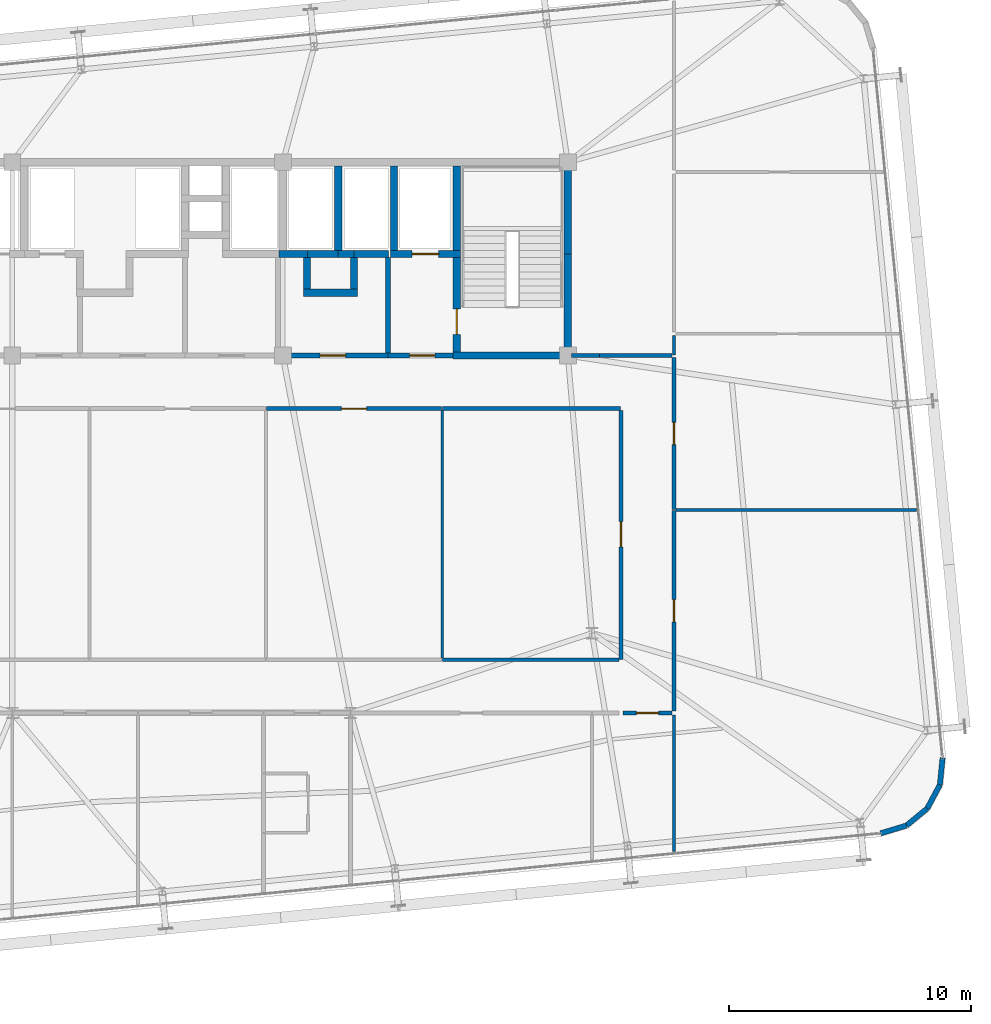
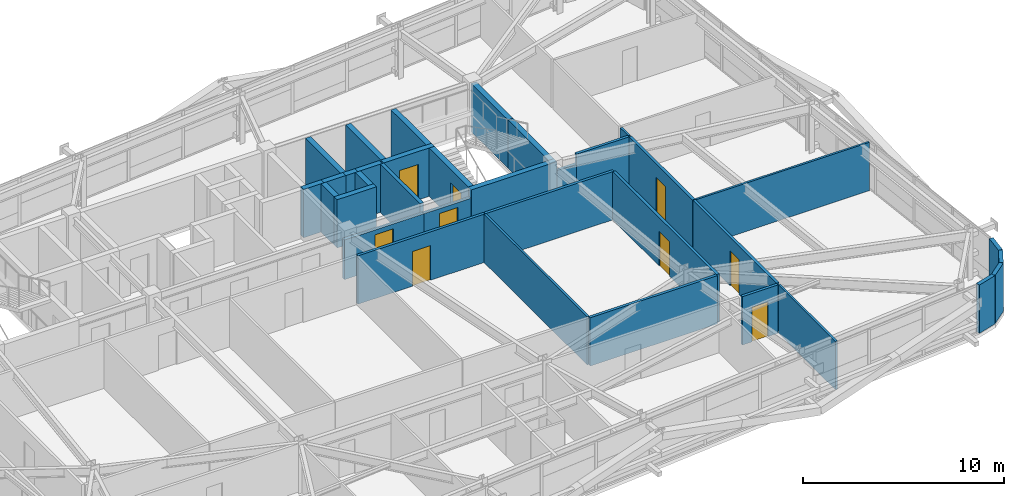
# One storey, part 48 of 52: 35 walls, 9 doors, 9 openings.
"""IFC4 building model written with IfcOpenShell, lengths in metres."""

from ifc_helpers import new_model, si_unit, direction, frame, frame_2d, origin, place, context, subcontext, project, spatial, rectangle, extrude, source, transform, mapped, material, layer, layer_set, type_object, element, fill, save


model = new_model("IFC4")

# Units and contexts
model_context = context("Model", 3, precision=1e-05, world=origin(), true_north=direction((0.0, 1.0)))
body_context = subcontext(model_context, "Body", "Model", "MODEL_VIEW")
ifc_project = project(units=[si_unit("LENGTHUNIT", "METRE"), si_unit("AREAUNIT", "SQUARE_METRE"), si_unit("VOLUMEUNIT", "CUBIC_METRE"), si_unit("PLANEANGLEUNIT", "RADIAN"), si_unit("MASSUNIT", "GRAM", prefix="KILO")], contexts=[model_context])

# Site, building, storey
site_placement = place(None, origin())
site = spatial("IfcSite", under=ifc_project, at=site_placement, CompositionType="ELEMENT")
building_placement = place(site_placement, origin())
building = spatial("IfcBuilding", under=site, at=building_placement, Name="Taldren Reach Tower", CompositionType="ELEMENT")
storey_placement = place(building_placement, frame((0.0, 0.0, 93.449951171875)))
storey = spatial("IfcBuildingStorey", under=building, at=storey_placement, Name="L28", CompositionType="ELEMENT", Elevation=93.449951171875)

# Walls
ifc_material_1 = material(Name="Pale Champagne Anodised Aluminium Cladding", Category="aluminium")
ifc_layer_1 = layer(ifc_material_1, 0.04, Name="Pale Champagne Anodised Aluminium Cladding", Category="aluminium")
ifc_material_2 = material(Name="Mineral Wool Acoustic Insulation", Category="insulation")
ifc_layer_2 = layer(ifc_material_2, 0.06, Name="Mineral Wool Acoustic Insulation", Category="insulation")
ifc_material_3 = material(Name="Steel Gr 350 (C350L0)", Category="steel")
ifc_layer_3 = layer(ifc_material_3, 0.12, Name="Steel Gr 350 (C350L0)", Category="steel")
ifc_layer_set_1 = layer_set([ifc_layer_1, ifc_layer_2, ifc_layer_3], Name="Pale Champagne Aluminium Cladding and Steel Gr 350 Stud Framing")
wall_type_1 = type_object("IfcWallType", Name="EW-CRN-220", PredefinedType="SOLIDWALL", material=ifc_layer_set_1)
shared_shape_1 = source(origin(), body_context, "Body", "SweptSolid", [
    extrude(rectangle(XDim=1.115966796875, YDim=0.219970703125, at=frame_2d((0.55810546875, 0.0))), origin(), (0.0, 0.0, 1.0), 2.929931640625),
])
for number, where, z_axis, x_axis, name in (
    (1, (65.01708984375, 4.537109375, 0.0), (0.0, 0.0, 1.0), (0.773342870285, 0.633988016432, 0.0), "Rounded-corner pale-metal facade wall L28-SE2"),
    (2, (66.406494140625, 6.228515625, 0.0), (0.0, 0.0, 1.0), (0.09844234778, 0.995142755671, 0.0), "Rounded-corner pale-metal facade wall L28-SE4"),
):
    element("IfcWall", number, at=place(storey_placement, frame(where, z_axis=z_axis, x_axis=x_axis)), inside=storey, type_object=wall_type_1, Name=name, PredefinedType="SOLIDWALL", context=body_context, shape_type="MappedRepresentation", body=[
        mapped(shared_shape_1, transform((0.0, 0.0, 0.0), scale=1.0)),
    ])
shared_shape_2 = source(origin(), body_context, "Body", "SweptSolid", [
    extrude(rectangle(XDim=1.11572265625, YDim=0.219970703125, at=frame_2d((0.557861328125, 0.0))), origin(), (0.0, 0.0, 1.0), 2.929931640625),
])
for number, where, z_axis, x_axis, name in (
    (3, (63.94921875, 4.213623046875, 0.0), (0.0, 0.0, 1.0), (0.957052003726, 0.289916301997, 0.0), "Rounded-corner pale-metal facade wall L28-SE1"),
    (4, (65.880126953125, 5.24462890625, 0.0), (0.0, 0.0, 1.0), (0.471723463201, 0.881746547635, 0.0), "Rounded-corner pale-metal facade wall L28-SE3"),
):
    element("IfcWall", number, at=place(storey_placement, frame(where, z_axis=z_axis, x_axis=x_axis)), inside=storey, type_object=wall_type_1, Name=name, PredefinedType="SOLIDWALL", context=body_context, shape_type="MappedRepresentation", body=[
        mapped(shared_shape_2, transform((0.0, 0.0, 0.0), scale=1.0)),
    ])

# Wall, opening, door
ifc_material_4 = material(Name="Fire-Rated Acoustic Plasterboard Stud Wall", Category="gypsum")
ifc_layer_4 = layer(ifc_material_4, 0.159912109375)
ifc_layer_set_2 = layer_set([ifc_layer_4], Name="Fire-Rated Acoustic Plasterboard Stud Wall")
wall_type_2 = type_object("IfcWallType", Name="IW-FIRE-160", PredefinedType="PARTITIONING", material=ifc_layer_set_2)
shared_shape_3 = source(origin(), body_context, "Body", "SweptSolid", [
    extrude(rectangle(XDim=10.2998046875, YDim=0.159912109375, at=frame_2d((5.14990234375, 0.0))), origin(), (0.0, 0.0, 1.0), 2.929931640625),
])
wall_1_placement = place(storey_placement, frame((53.199951171875, 11.420166015625, 0.0), z_axis=(0.0, 0.0, 1.0), x_axis=(0.0, 1.0, 0.0)))
wall_1 = element("IfcWall", 5, at=wall_1_placement, inside=storey, type_object=wall_type_2, Name="Interior Partition Wall W-INT-L28-052", PredefinedType="PARTITIONING", context=body_context, shape_type="MappedRepresentation", body=[
    mapped(shared_shape_3, transform((0.0, 0.0, 0.0), scale=1.0)),
])
shared_shape_4 = source(origin(), body_context, "Body", "SweptSolid", [
    extrude(rectangle(XDim=1.050048828125, YDim=2.10009765625, at=frame_2d((0.52490234375, 1.050048828125))), frame((0.0, 0.08984375, 0.0), z_axis=(0.0, -1.0, 0.0), x_axis=(1.0, 0.0, 0.0)), (0.0, 0.0, 1.0), 0.179931640625),
])
opening_1_placement = place(wall_1_placement, frame((4.65478515625, 0.0, 0.0)))
opening_1 = element("IfcOpeningElement", 6, at=opening_1_placement, cuts=wall_1, Name="Opening DF-105", PredefinedType="OPENING", context=body_context, shape_type="MappedRepresentation", body=[
    mapped(shared_shape_4, transform((0.0, 0.0, 0.0), scale=1.0)),
])
ifc_material_5 = material(Name="Fire-Rated Care and Stair Exit Door")
door_type_1 = type_object("IfcDoorType", Name="ID-FIRE-105", OperationType="NOTDEFINED", PredefinedType="DOOR", material=ifc_material_5)
shared_shape_5 = source(origin(), body_context, "Body", "SweptSolid", [
    extrude(rectangle(XDim=1.050048828125, YDim=2.10009765625, at=frame_2d((0.52490234375, 1.050048828125))), frame((0.0, 0.02490234375, 0.0), z_axis=(0.0, -1.0, 0.0), x_axis=(1.0, 0.0, 0.0)), (0.0, 0.0, 1.0), 0.050048828125),
])
door_1_placement = place(opening_1_placement, origin())
door_1 = element("IfcDoor", 7, at=door_1_placement, inside=storey, type_object=door_type_1, Name="Interior Door DR-L28-013", OperationType="SINGLE_SWING_RIGHT", OverallHeight=2.10009765625, OverallWidth=1.050048828125, PredefinedType="DOOR", context=body_context, shape_type="MappedRepresentation", body=[
    mapped(shared_shape_5, transform((0.0, 0.0, 0.0), scale=1.0)),
])
fill(opening_1, door_1)

shared_shape_6 = source(origin(), body_context, "Body", "SweptSolid", [
    extrude(rectangle(XDim=2.0400390625, YDim=0.159912109375, at=frame_2d((1.02001953125, 0.0))), origin(), (0.0, 0.0, 1.0), 2.929931640625),
])
wall_2_placement = place(storey_placement, frame((55.320068359375, 9.199951171875, 0.0), z_axis=(0.0, 0.0, 1.0), x_axis=(-1.0, 0.0, 0.0)))
wall_2 = element("IfcWall", 8, at=wall_2_placement, inside=storey, type_object=wall_type_2, Name="Interior Partition Wall W-INT-L28-055", PredefinedType="PARTITIONING", context=body_context, shape_type="MappedRepresentation", body=[
    mapped(shared_shape_6, transform((0.0, 0.0, 0.0), scale=1.0)),
])
shared_shape_7 = source(origin(), body_context, "Body", "SweptSolid", [
    extrude(rectangle(XDim=0.919921875, YDim=2.10009765625, at=frame_2d((0.4599609375, 1.050048828125))), frame((0.0, 0.08984375, 0.0), z_axis=(0.0, -1.0, 0.0), x_axis=(1.0, 0.0, 0.0)), (0.0, 0.0, 1.0), 0.179931640625),
])
opening_2_placement = place(wall_2_placement, frame((0.56005859375, 0.0, 0.0)))
opening_2 = element("IfcOpeningElement", 9, at=opening_2_placement, cuts=wall_2, Name="Opening DI-092", PredefinedType="OPENING", context=body_context, shape_type="MappedRepresentation", body=[
    mapped(shared_shape_7, transform((0.0, 0.0, 0.0), scale=1.0)),
])
ifc_material_6 = material(Name="Solid-Core Timber Suite Door", Category="wood")
door_type_2 = type_object("IfcDoorType", Name="ID-INT-092", OperationType="NOTDEFINED", PredefinedType="DOOR", material=ifc_material_6)
shared_shape_8 = source(origin(), body_context, "Body", "SweptSolid", [
    extrude(rectangle(XDim=0.919921875, YDim=2.10009765625, at=frame_2d((0.4599609375, 1.050048828125))), frame((0.0, 0.02490234375, 0.0), z_axis=(0.0, -1.0, 0.0), x_axis=(1.0, 0.0, 0.0)), (0.0, 0.0, 1.0), 0.050048828125),
])
door_2_placement = place(opening_2_placement, origin())
door_2 = element("IfcDoor", 10, at=door_2_placement, inside=storey, type_object=door_type_2, Name="Interior Door DR-L28-015", OperationType="SINGLE_SWING_RIGHT", OverallHeight=2.10009765625, OverallWidth=0.919921875, PredefinedType="DOOR", context=body_context, shape_type="MappedRepresentation", body=[
    mapped(shared_shape_8, transform((0.0, 0.0, 0.0), scale=1.0)),
])
fill(opening_2, door_2)

ifc_material_7 = material(Name="Concrete S50 (50 MPa)", Category="concrete")
ifc_layer_5 = layer(ifc_material_7, 0.199951171875)
ifc_layer_set_3 = layer_set([ifc_layer_5], Name="Concrete S50 (50 MPa)")
wall_type_3 = type_object("IfcWallType", Name="IW-CORE-200", PredefinedType="SOLIDWALL", material=ifc_layer_set_3)
shared_shape_9 = source(origin(), body_context, "Body", "SweptSolid", [
    extrude(rectangle(XDim=4.550048828125, YDim=0.199951171875, at=frame_2d((2.27490234375, 0.0))), origin(), (0.0, 0.0, 1.0), 2.39697265625),
])
wall_3_placement = place(storey_placement, frame((43.550048828125, 24.0, 0.0), z_axis=(0.0, 0.0, 1.0), x_axis=(-1.0, 0.0, 0.0)))
wall_3 = element("IfcWall", 11, at=wall_3_placement, inside=storey, type_object=wall_type_3, Name="Rear Core Shear Wall W-INT-L28-046", PredefinedType="SOLIDWALL", context=body_context, shape_type="MappedRepresentation", body=[
    mapped(shared_shape_9, transform((0.0, 0.0, 0.0), scale=1.0)),
])
shared_shape_10 = source(origin(), body_context, "Body", "SweptSolid", [
    extrude(rectangle(XDim=1.050048828125, YDim=2.10009765625, at=frame_2d((0.52490234375, 1.050048828125))), frame((0.0, 0.10986328125, 0.0), z_axis=(0.0, -1.0, 0.0), x_axis=(1.0, 0.0, 0.0)), (0.0, 0.0, 1.0), 0.219970703125),
])
opening_3_placement = place(wall_3_placement, frame((1.75, 0.0, 0.0)))
opening_3 = element("IfcOpeningElement", 12, at=opening_3_placement, cuts=wall_3, Name="Opening DF-105", PredefinedType="OPENING", context=body_context, shape_type="MappedRepresentation", body=[
    mapped(shared_shape_10, transform((0.0, 0.0, 0.0), scale=1.0)),
])
door_3_placement = place(opening_3_placement, frame((1.050048828125, 0.0, 0.0), z_axis=(0.0, 0.0, 1.0), x_axis=(-1.0, 0.0, 0.0)))
door_3 = element("IfcDoor", 13, at=door_3_placement, inside=storey, type_object=door_type_1, Name="Interior Door DR-L28-008", OperationType="SINGLE_SWING_RIGHT", OverallHeight=2.10009765625, OverallWidth=1.050048828125, PredefinedType="DOOR", context=body_context, shape_type="MappedRepresentation", body=[
    mapped(shared_shape_5, transform((0.0, 0.0, 0.0), scale=1.0)),
])
fill(opening_3, door_3)

shared_shape_11 = source(origin(), body_context, "Body", "SweptSolid", [
    extrude(rectangle(XDim=7.259521484375, YDim=0.159912109375, at=frame_2d((3.6298828125, 0.0))), origin(), (0.0, 0.0, 1.0), 2.929931640625),
])
wall_4_placement = place(storey_placement, frame((45.77978515625, 21.800048828125, 0.0), z_axis=(0.0, 0.0, 1.0), x_axis=(-1.0, 0.0, 0.0)))
wall_4 = element("IfcWall", 14, at=wall_4_placement, inside=storey, type_object=wall_type_2, Name="Interior Partition Wall W-INT-L28-051", PredefinedType="PARTITIONING", context=body_context, shape_type="MappedRepresentation", body=[
    mapped(shared_shape_11, transform((0.0, 0.0, 0.0), scale=1.0)),
])
opening_4_placement = place(wall_4_placement, frame((3.104736328125, 0.0, 0.0)))
opening_4 = element("IfcOpeningElement", 15, at=opening_4_placement, cuts=wall_4, Name="Opening DF-105", PredefinedType="OPENING", context=body_context, shape_type="MappedRepresentation", body=[
    mapped(shared_shape_4, transform((0.0, 0.0, 0.0), scale=1.0)),
])
door_4_placement = place(opening_4_placement, origin())
door_4 = element("IfcDoor", 16, at=door_4_placement, inside=storey, type_object=door_type_1, Name="Interior Door DR-L28-012", OperationType="SINGLE_SWING_LEFT", OverallHeight=2.10009765625, OverallWidth=1.050048828125, PredefinedType="DOOR", context=body_context, shape_type="MappedRepresentation", body=[
    mapped(shared_shape_5, transform((0.0, 0.0, 0.0), scale=1.0)),
])
fill(opening_4, door_4)

# Walls
shared_shape_12 = source(origin(), body_context, "Body", "SweptSolid", [
    extrude(rectangle(XDim=7.359375, YDim=0.159912109375, at=frame_2d((3.6796875, 0.0))), origin(), (0.0, 0.0, 1.0), 2.929931640625),
])
wall_5_placement = place(storey_placement, frame((53.1796875, 21.800048828125, 0.0), z_axis=(0.0, 0.0, 1.0), x_axis=(-1.0, 0.0, 0.0)))
element("IfcWall", 17, at=wall_5_placement, inside=storey, type_object=wall_type_2, Name="Interior Partition Wall W-INT-L28-053", PredefinedType="PARTITIONING", context=body_context, shape_type="MappedRepresentation", body=[
    mapped(shared_shape_12, transform((0.0, 0.0, 0.0), scale=1.0)),
])
shared_shape_13 = source(origin(), body_context, "Body", "SweptSolid", [
    extrude(rectangle(XDim=7.2998046875, YDim=0.159912109375, at=frame_2d((3.64990234375, 0.0))), origin(), (0.0, 0.0, 1.0), 2.929931640625),
])
wall_6_placement = place(storey_placement, frame((45.8203125, 11.39990234375, 0.0), z_axis=(0.0, 0.0, 1.0), x_axis=(1.0, 0.0, 0.0)))
element("IfcWall", 18, at=wall_6_placement, inside=storey, type_object=wall_type_2, Name="Interior Partition Wall W-INT-L28-066", PredefinedType="PARTITIONING", context=body_context, shape_type="MappedRepresentation", body=[
    mapped(shared_shape_13, transform((0.0, 0.0, 0.0), scale=1.0)),
])
ifc_material_8 = material(Name="Insulated Residential Stud Partition", Category="gypsum")
ifc_layer_6 = layer(ifc_material_8, 0.1201171875)
ifc_layer_set_4 = layer_set([ifc_layer_6], Name="Insulated Residential Stud Partition")
wall_type_4 = type_object("IfcWallType", Name="IW-PART-120", PredefinedType="PARTITIONING", material=ifc_layer_set_4)
shared_shape_14 = source(origin(), body_context, "Body", "SweptSolid", [
    extrude(rectangle(XDim=10.239990234375, YDim=0.1201171875, at=frame_2d((5.1201171875, 0.0))), origin(), (0.0, 0.0, 1.0), 2.929931640625),
])
wall_7_placement = place(storey_placement, frame((45.800048828125, 21.719970703125, 0.0), z_axis=(0.0, 0.0, 1.0), x_axis=(0.0, -1.0, 0.0)))
element("IfcWall", 19, at=wall_7_placement, inside=storey, type_object=wall_type_4, Name="Interior Partition Wall W-INT-L28-077", PredefinedType="PARTITIONING", context=body_context, shape_type="MappedRepresentation", body=[
    mapped(shared_shape_14, transform((0.0, 0.0, 0.0), scale=1.0)),
])
ifc_material_9 = material(Name="Concrete S65 (65 MPa)", Category="concrete")
ifc_layer_7 = layer(ifc_material_9, 0.300048828125)
ifc_layer_set_5 = layer_set([ifc_layer_7], Name="Concrete S65 (65 MPa)")
wall_type_5 = type_object("IfcWallType", Name="IW-CORE-300", PredefinedType="SHEAR", material=ifc_layer_set_5)
shared_shape_15 = source(origin(), body_context, "Body", "SweptSolid", [
    extrude(rectangle(XDim=4.050048828125, YDim=0.300048828125, at=frame_2d((2.02490234375, 0.0))), origin(), (0.0, 0.0, 1.0), 2.929931640625),
])
wall_8_placement = place(storey_placement, frame((51.0, 24.14990234375, 0.0), z_axis=(0.0, 0.0, 1.0), x_axis=(0.0, 1.0, 0.0)))
element("IfcWall", 20, at=wall_8_placement, inside=storey, type_object=wall_type_5, Name="Rear Core Shear Wall W-CORE-L28-EAST1", PredefinedType="SHEAR", context=body_context, shape_type="MappedRepresentation", body=[
    mapped(shared_shape_15, transform((0.0, 0.0, 0.0), scale=1.0)),
])
shared_shape_16 = source(origin(), body_context, "Body", "SweptSolid", [
    extrude(rectangle(XDim=3.650146484375, YDim=0.300048828125, at=frame_2d((1.8251953125, 0.0))), origin(), (0.0, 0.0, 1.0), 2.929931640625),
])
wall_9_placement = place(storey_placement, frame((51.0, 28.199951171875, 0.0), z_axis=(0.0, 0.0, 1.0), x_axis=(0.0, 1.0, 0.0)))
element("IfcWall", 21, at=wall_9_placement, inside=storey, type_object=wall_type_5, Name="Rear Core Shear Wall W-CORE-L28-EAST2", PredefinedType="SHEAR", context=body_context, shape_type="MappedRepresentation", body=[
    mapped(shared_shape_16, transform((0.0, 0.0, 0.0), scale=1.0)),
])
shared_shape_17 = source(origin(), body_context, "Body", "SweptSolid", [
    extrude(rectangle(XDim=3.5, YDim=0.300048828125, at=frame_2d((1.75, 0.0))), origin(), (0.0, 0.0, 1.0), 2.929931640625),
])
for number, where, z_axis, x_axis, name in (
    (22, (46.39990234375, 31.85009765625, 0.0), (0.0, 0.0, 1.0), (0.0, -1.0, 0.0), "Rear Core Shear Wall W-INT-L28-008"),
    (23, (43.800048828125, 31.85009765625, 0.0), (0.0, 0.0, 1.0), (0.0, -1.0, 0.0), "Rear Core Shear Wall W-INT-L28-012"),
    (24, (41.5, 28.35009765625, 0.0), (0.0, 0.0, 1.0), (0.0, 1.0, 0.0), "Rear Core Shear Wall W-INT-L28-039"),
):
    element("IfcWall", number, at=place(storey_placement, frame(where, z_axis=z_axis, x_axis=x_axis)), inside=storey, type_object=wall_type_5, Name=name, PredefinedType="SHEAR", context=body_context, shape_type="MappedRepresentation", body=[
        mapped(shared_shape_17, transform((0.0, 0.0, 0.0), scale=1.0)),
    ])

# Wall, opening, door
shared_shape_18 = source(origin(), body_context, "Body", "SweptSolid", [
    extrude(rectangle(XDim=3.900146484375, YDim=0.300048828125, at=frame_2d((1.9501953125, 0.0))), origin(), (0.0, 0.0, 1.0), 2.929931640625),
])
wall_10_placement = place(storey_placement, frame((46.39990234375, 28.050048828125, 0.0), z_axis=(0.0, 0.0, 1.0), x_axis=(0.0, -1.0, 0.0)))
wall_10 = element("IfcWall", 25, at=wall_10_placement, inside=storey, type_object=wall_type_5, Name="Rear Core Shear Wall W-INT-L28-009", PredefinedType="SHEAR", context=body_context, shape_type="MappedRepresentation", body=[
    mapped(shared_shape_18, transform((0.0, 0.0, 0.0), scale=1.0)),
])
shared_shape_19 = source(origin(), body_context, "Body", "SweptSolid", [
    extrude(rectangle(XDim=1.050048828125, YDim=2.10009765625, at=frame_2d((0.52490234375, 1.050048828125))), frame((0.0, 0.16015625, 0.0), z_axis=(0.0, -1.0, 0.0), x_axis=(1.0, 0.0, 0.0)), (0.0, 0.0, 1.0), 0.320068359375),
])
opening_5_placement = place(wall_10_placement, frame((2.125, 0.0, 0.0)))
opening_5 = element("IfcOpeningElement", 26, at=opening_5_placement, cuts=wall_10, Name="Opening DF-105", PredefinedType="OPENING", context=body_context, shape_type="MappedRepresentation", body=[
    mapped(shared_shape_19, transform((0.0, 0.0, 0.0), scale=1.0)),
])
door_5_placement = place(opening_5_placement, origin())
door_5 = element("IfcDoor", 27, at=door_5_placement, inside=storey, type_object=door_type_1, Name="Fire Exit Stair Door DR-L28-003", OperationType="SINGLE_SWING_RIGHT", OverallHeight=2.10009765625, OverallWidth=1.050048828125, PredefinedType="DOOR", context=body_context, shape_type="MappedRepresentation", body=[
    mapped(shared_shape_5, transform((0.0, 0.0, 0.0), scale=1.0)),
])
fill(opening_5, door_5)

# Wall
shared_shape_20 = source(origin(), body_context, "Body", "SweptSolid", [
    extrude(rectangle(XDim=4.89990234375, YDim=0.300048828125, at=frame_2d((2.449951171875, 0.0))), origin(), (0.0, 0.0, 1.0), 2.929931640625),
])
wall_11_placement = place(storey_placement, frame((46.25, 24.0, 0.0), z_axis=(0.0, 0.0, 1.0), x_axis=(1.0, 0.0, 0.0)))
element("IfcWall", 28, at=wall_11_placement, inside=storey, type_object=wall_type_5, Name="Rear Core Shear Wall W-INT-L28-010", PredefinedType="SHEAR", context=body_context, shape_type="MappedRepresentation", body=[
    mapped(shared_shape_20, transform((0.0, 0.0, 0.0), scale=1.0)),
])

# Wall, opening, door
shared_shape_21 = source(origin(), body_context, "Body", "SweptSolid", [
    extrude(rectangle(XDim=2.900146484375, YDim=0.300048828125, at=frame_2d((1.4501953125, 0.0))), origin(), (0.0, 0.0, 1.0), 2.929931640625),
])
wall_12_placement = place(storey_placement, frame((43.64990234375, 28.199951171875, 0.0), z_axis=(0.0, 0.0, 1.0), x_axis=(1.0, 0.0, 0.0)))
wall_12 = element("IfcWall", 29, at=wall_12_placement, inside=storey, type_object=wall_type_5, Name="Rear Core Shear Wall W-INT-L28-011", PredefinedType="SHEAR", context=body_context, shape_type="MappedRepresentation", body=[
    mapped(shared_shape_21, transform((0.0, 0.0, 0.0), scale=1.0)),
])
shared_shape_22 = source(origin(), body_context, "Body", "SweptSolid", [
    extrude(rectangle(XDim=1.10009765625, YDim=2.14990234375, at=frame_2d((0.550048828125, 1.074951171875))), frame((0.0, 0.16015625, 0.0), z_axis=(0.0, -1.0, 0.0), x_axis=(1.0, 0.0, 0.0)), (0.0, 0.0, 1.0), 0.320068359375),
])
opening_6_placement = place(wall_12_placement, frame((0.89990234375, 0.0, 0.0)))
opening_6 = element("IfcOpeningElement", 30, at=opening_6_placement, cuts=wall_12, Name="Opening LD-FL2", PredefinedType="OPENING", context=body_context, shape_type="MappedRepresentation", body=[
    mapped(shared_shape_22, transform((0.0, 0.0, 0.0), scale=1.0)),
])
ifc_material_10 = material(Name="Stainless Steel Gr 316 Emergency Lift Landing Door", Category="steel")
door_type_3 = type_object("IfcDoorType", Name="LD-EMG-110", OperationType="SLIDING_TO_LEFT", PredefinedType="DOOR", material=ifc_material_10)
shared_shape_23 = source(origin(), body_context, "Body", "SweptSolid", [
    extrude(rectangle(XDim=1.10009765625, YDim=2.14990234375, at=frame_2d((0.550048828125, 1.074951171875))), frame((0.0, 0.02490234375, 0.0), z_axis=(0.0, -1.0, 0.0), x_axis=(1.0, 0.0, 0.0)), (0.0, 0.0, 1.0), 0.050048828125),
])
door_6_placement = place(opening_6_placement, origin())
door_6 = element("IfcDoor", 31, at=door_6_placement, inside=storey, type_object=door_type_3, Name="Lift Landing Door LD-FL2-L28", OperationType="SLIDING_TO_LEFT", OverallHeight=2.14990234375, OverallWidth=1.10009765625, PredefinedType="DOOR", context=body_context, shape_type="MappedRepresentation", body=[
    mapped(shared_shape_23, transform((0.0, 0.0, 0.0), scale=1.0)),
])
fill(opening_6, door_6)

# Wall
shared_shape_24 = source(origin(), body_context, "Body", "SweptSolid", [
    extrude(rectangle(XDim=3.949951171875, YDim=0.199951171875, at=frame_2d((1.97509765625, 0.0))), origin(), (0.0, 0.0, 1.0), 2.929931640625),
])
wall_13_placement = place(storey_placement, frame((43.550048828125, 28.050048828125, 0.0), z_axis=(0.0, 0.0, 1.0), x_axis=(0.0, -1.0, 0.0)))
element("IfcWall", 32, at=wall_13_placement, inside=storey, type_object=wall_type_3, Name="Rear Core Shear Wall W-INT-L28-013", PredefinedType="SOLIDWALL", context=body_context, shape_type="MappedRepresentation", body=[
    mapped(shared_shape_24, transform((0.0, 0.0, 0.0), scale=1.0)),
])

# Wall, opening, door
shared_shape_25 = source(origin(), body_context, "Body", "SweptSolid", [
    extrude(rectangle(XDim=2.699951171875, YDim=0.199951171875, at=frame_2d((1.35009765625, 0.0))), origin(), (0.0, 0.0, 1.0), 2.39697265625),
])
wall_14_placement = place(storey_placement, frame((43.550048828125, 24.0, 0.0), z_axis=(0.0, 0.0, 1.0), x_axis=(1.0, 0.0, 0.0)))
wall_14 = element("IfcWall", 33, at=wall_14_placement, inside=storey, type_object=wall_type_3, Name="Rear Core Shear Wall W-INT-L28-014", PredefinedType="SOLIDWALL", context=body_context, shape_type="MappedRepresentation", body=[
    mapped(shared_shape_25, transform((0.0, 0.0, 0.0), scale=1.0)),
])
opening_7_placement = place(wall_14_placement, frame((0.89990234375, 0.0, 0.0)))
opening_7 = element("IfcOpeningElement", 34, at=opening_7_placement, cuts=wall_14, Name="Opening DF-105", PredefinedType="OPENING", context=body_context, shape_type="MappedRepresentation", body=[
    mapped(shared_shape_10, transform((0.0, 0.0, 0.0), scale=1.0)),
])
door_7_placement = place(opening_7_placement, origin())
door_7 = element("IfcDoor", 35, at=door_7_placement, inside=storey, type_object=door_type_1, Name="Interior Door DR-L28-004", OperationType="SINGLE_SWING_LEFT", OverallHeight=2.10009765625, OverallWidth=1.050048828125, PredefinedType="DOOR", context=body_context, shape_type="MappedRepresentation", body=[
    mapped(shared_shape_5, transform((0.0, 0.0, 0.0), scale=1.0)),
])
fill(opening_7, door_7)

# Walls
shared_shape_26 = source(origin(), body_context, "Body", "SweptSolid", [
    extrude(rectangle(XDim=1.300048828125, YDim=0.300048828125, at=frame_2d((0.64990234375, 0.0))), origin(), (0.0, 0.0, 1.0), 2.929931640625),
])
for number, where, z_axis, x_axis, name in (
    (36, (40.199951171875, 28.050048828125, 0.0), (0.0, 0.0, 1.0), (0.0, -1.0, 0.0), "Rear Core Shear Wall W-INT-L28-027"),
    (37, (42.14990234375, 26.75, 0.0), (0.0, 0.0, 1.0), (0.0, 1.0, 0.0), "Rear Core Shear Wall W-INT-L28-028"),
):
    element("IfcWall", number, at=place(storey_placement, frame(where, z_axis=z_axis, x_axis=x_axis)), inside=storey, type_object=wall_type_5, Name=name, PredefinedType="SHEAR", context=body_context, shape_type="MappedRepresentation", body=[
        mapped(shared_shape_26, transform((0.0, 0.0, 0.0), scale=1.0)),
    ])
shared_shape_27 = source(origin(), body_context, "Body", "SweptSolid", [
    extrude(rectangle(XDim=1.320068359375, YDim=0.300048828125, at=frame_2d((0.66015625, 0.0))), origin(), (0.0, 0.0, 1.0), 2.929931640625),
])
wall_15_placement = place(storey_placement, frame((41.52001953125, 28.199951171875, 0.0), z_axis=(0.0, 0.0, 1.0), x_axis=(-1.0, 0.0, 0.0)))
element("IfcWall", 38, at=wall_15_placement, inside=storey, type_object=wall_type_5, Name="Rear Core Shear Wall W-INT-L28-024", PredefinedType="SHEAR", context=body_context, shape_type="MappedRepresentation", body=[
    mapped(shared_shape_27, transform((0.0, 0.0, 0.0), scale=1.0)),
])
shared_shape_28 = source(origin(), body_context, "Body", "SweptSolid", [
    extrude(rectangle(XDim=0.669921875, YDim=0.300048828125, at=frame_2d((0.3349609375, 0.0))), origin(), (0.0, 0.0, 1.0), 2.929931640625),
])
wall_16_placement = place(storey_placement, frame((42.14990234375, 28.199951171875, 0.0), z_axis=(0.0, 0.0, 1.0), x_axis=(-1.0, 0.0, 0.0)))
element("IfcWall", 39, at=wall_16_placement, inside=storey, type_object=wall_type_5, Name="Rear Core Shear Wall W-INT-L28-025", PredefinedType="SHEAR", context=body_context, shape_type="MappedRepresentation", body=[
    mapped(shared_shape_28, transform((0.0, 0.0, 0.0), scale=1.0)),
])
shared_shape_29 = source(origin(), body_context, "Body", "SweptSolid", [
    extrude(rectangle(XDim=1.440185546875, YDim=0.300048828125, at=frame_2d((0.72021484375, 0.0))), origin(), (0.0, 0.0, 1.0), 2.929931640625),
])
wall_17_placement = place(storey_placement, frame((42.1298828125, 28.199951171875, 0.0), z_axis=(0.0, 0.0, 1.0), x_axis=(1.0, 0.0, 0.0)))
element("IfcWall", 40, at=wall_17_placement, inside=storey, type_object=wall_type_5, Name="Rear Core Shear Wall W-INT-L28-041", PredefinedType="SHEAR", context=body_context, shape_type="MappedRepresentation", body=[
    mapped(shared_shape_29, transform((0.0, 0.0, 0.0), scale=1.0)),
])
shared_shape_30 = source(origin(), body_context, "Body", "SweptSolid", [
    extrude(rectangle(XDim=3.015625, YDim=0.159912109375, at=frame_2d((1.5078125, 0.0))), origin(), (0.0, 0.0, 1.0), 2.929931640625),
])
wall_18_placement = place(storey_placement, frame((52.304443359375, 24.0, 0.0), z_axis=(0.0, 0.0, 1.0), x_axis=(1.0, 0.0, 0.0)))
element("IfcWall", 41, at=wall_18_placement, inside=storey, type_object=wall_type_2, Name="Interior Partition Wall W-INT-L28-061 part 2", PredefinedType="PARTITIONING", context=body_context, shape_type="MappedRepresentation", body=[
    mapped(shared_shape_30, transform((0.0, 0.0, 0.0), scale=1.0)),
])
shared_shape_31 = source(origin(), body_context, "Body", "SweptSolid", [
    extrude(rectangle(XDim=2.25, YDim=0.300048828125, at=frame_2d((1.125, 0.0))), origin(), (0.0, 0.0, 1.0), 2.929931640625),
])
wall_19_placement = place(storey_placement, frame((40.050048828125, 26.60009765625, 0.0), z_axis=(0.0, 0.0, 1.0), x_axis=(1.0, 0.0, 0.0)))
element("IfcWall", 42, at=wall_19_placement, inside=storey, type_object=wall_type_5, Name="Rear Core Shear Wall W-INT-L28-026", PredefinedType="SHEAR", context=body_context, shape_type="MappedRepresentation", body=[
    mapped(shared_shape_31, transform((0.0, 0.0, 0.0), scale=1.0)),
])
shared_shape_32 = source(origin(), body_context, "Body", "SweptSolid", [
    extrude(rectangle(XDim=1.154541015625, YDim=0.159912109375, at=frame_2d((0.5771484375, 0.0))), origin(), (0.0, 0.0, 1.0), 2.328125),
])
wall_20_placement = place(storey_placement, frame((51.14990234375, 24.0, 0.0), z_axis=(0.0, 0.0, 1.0), x_axis=(1.0, 0.0, 0.0)))
element("IfcWall", 43, at=wall_20_placement, inside=storey, type_object=wall_type_2, Name="Interior Partition Wall W-INT-L28-061", PredefinedType="PARTITIONING", context=body_context, shape_type="MappedRepresentation", body=[
    mapped(shared_shape_32, transform((0.0, 0.0, 0.0), scale=1.0)),
])
shared_shape_33 = source(origin(), body_context, "Body", "SweptSolid", [
    extrude(rectangle(XDim=1.169921875, YDim=0.300048828125, at=frame_2d((0.5849609375, 0.0))), origin(), (0.0, 0.0, 1.0), 2.929931640625),
])
wall_21_placement = place(storey_placement, frame((39.050048828125, 28.199951171875, 0.0), z_axis=(0.0, 0.0, 1.0), x_axis=(1.0, 0.0, 0.0)))
element("IfcWall", 44, at=wall_21_placement, inside=storey, type_object=wall_type_5, Name="Rear Core Shear Wall W-INT-L28-040", PredefinedType="SHEAR", context=body_context, shape_type="MappedRepresentation", body=[
    mapped(shared_shape_33, transform((0.0, 0.0, 0.0), scale=1.0)),
])
shared_shape_34 = source(origin(), body_context, "Body", "SweptSolid", [
    extrude(rectangle(XDim=5.657958984375, YDim=0.1201171875, at=frame_2d((2.8291015625, 0.0))), origin(), (0.0, 0.0, 1.0), 2.929931640625),
])
wall_22_placement = place(storey_placement, frame((55.39990234375, 9.117919921875, 0.0), z_axis=(0.0, 0.0, 1.0), x_axis=(0.0, -1.0, 0.0)))
element("IfcWall", 45, at=wall_22_placement, inside=storey, type_object=wall_type_4, Name="Interior Partition Wall W-INT-L28-090", PredefinedType="PARTITIONING", context=body_context, shape_type="MappedRepresentation", body=[
    mapped(shared_shape_34, transform((0.0, 0.0, 0.0), scale=1.0)),
])

# Wall, opening, door
shared_shape_35 = source(origin(), body_context, "Body", "SweptSolid", [
    extrude(rectangle(XDim=8.2998046875, YDim=0.159912109375, at=frame_2d((4.14990234375, 0.0))), origin(), (0.0, 0.0, 1.0), 2.929931640625),
])
wall_23_placement = place(storey_placement, frame((55.39990234375, 17.579833984375, 0.0), z_axis=(0.0, 0.0, 1.0), x_axis=(0.0, -1.0, 0.0)))
wall_23 = element("IfcWall", 46, at=wall_23_placement, inside=storey, type_object=wall_type_2, Name="Interior Partition Wall W-INT-L28-058", PredefinedType="PARTITIONING", context=body_context, shape_type="MappedRepresentation", body=[
    mapped(shared_shape_35, transform((0.0, 0.0, 0.0), scale=1.0)),
])
opening_8_placement = place(wall_23_placement, frame((3.68994140625, 0.0, 0.0)))
opening_8 = element("IfcOpeningElement", 47, at=opening_8_placement, cuts=wall_23, Name="Opening DI-092", PredefinedType="OPENING", context=body_context, shape_type="MappedRepresentation", body=[
    mapped(shared_shape_7, transform((0.0, 0.0, 0.0), scale=1.0)),
])
door_8_placement = place(opening_8_placement, origin())
door_8 = element("IfcDoor", 48, at=door_8_placement, inside=storey, type_object=door_type_2, Name="Interior Door DR-L28-018", OperationType="SINGLE_SWING_LEFT", OverallHeight=2.10009765625, OverallWidth=0.919921875, PredefinedType="DOOR", context=body_context, shape_type="MappedRepresentation", body=[
    mapped(shared_shape_8, transform((0.0, 0.0, 0.0), scale=1.0)),
])
fill(opening_8, door_8)

shared_shape_36 = source(origin(), body_context, "Body", "SweptSolid", [
    extrude(rectangle(XDim=6.2998046875, YDim=0.159912109375, at=frame_2d((3.14990234375, 0.0))), origin(), (0.0, 0.0, 1.0), 2.929931640625),
])
wall_24_placement = place(storey_placement, frame((55.39990234375, 23.919921875, 0.0), z_axis=(0.0, 0.0, 1.0), x_axis=(0.0, -1.0, 0.0)))
wall_24 = element("IfcWall", 49, at=wall_24_placement, inside=storey, type_object=wall_type_2, Name="Interior Partition Wall W-INT-L28-059", PredefinedType="PARTITIONING", context=body_context, shape_type="MappedRepresentation", body=[
    mapped(shared_shape_36, transform((0.0, 0.0, 0.0), scale=1.0)),
])
opening_9_placement = place(wall_24_placement, frame((2.68994140625, 0.0, 0.0)))
opening_9 = element("IfcOpeningElement", 50, at=opening_9_placement, cuts=wall_24, Name="Opening DI-092", PredefinedType="OPENING", context=body_context, shape_type="MappedRepresentation", body=[
    mapped(shared_shape_7, transform((0.0, 0.0, 0.0), scale=1.0)),
])
door_9_placement = place(opening_9_placement, origin())
door_9 = element("IfcDoor", 51, at=door_9_placement, inside=storey, type_object=door_type_2, Name="Interior Door DR-L28-019", OperationType="SINGLE_SWING_RIGHT", OverallHeight=2.10009765625, OverallWidth=0.919921875, PredefinedType="DOOR", context=body_context, shape_type="MappedRepresentation", body=[
    mapped(shared_shape_8, transform((0.0, 0.0, 0.0), scale=1.0)),
])
fill(opening_9, door_9)

# Walls
shared_shape_37 = source(origin(), body_context, "Body", "SweptSolid", [
    extrude(rectangle(XDim=9.94775390625, YDim=0.1201171875, at=frame_2d((4.973876953125, 0.0))), origin(), (0.0, 0.0, 1.0), 2.929931640625),
])
wall_25_placement = place(storey_placement, frame((55.47998046875, 17.60009765625, 0.0), z_axis=(0.0, 0.0, 1.0), x_axis=(1.0, 0.0, 0.0)))
element("IfcWall", 52, at=wall_25_placement, inside=storey, type_object=wall_type_4, Name="Interior Partition Wall W-INT-L28-096", PredefinedType="PARTITIONING", context=body_context, shape_type="MappedRepresentation", body=[
    mapped(shared_shape_37, transform((0.0, 0.0, 0.0), scale=1.0)),
])
shared_shape_38 = source(origin(), body_context, "Body", "SweptSolid", [
    extrude(rectangle(XDim=0.7998046875, YDim=0.1201171875, at=frame_2d((0.39990234375, 0.0))), origin(), (0.0, 0.0, 1.0), 2.929931640625),
])
wall_26_placement = place(storey_placement, frame((55.39990234375, 24.020263671875, 0.0), z_axis=(0.0, 0.0, 1.0), x_axis=(0.0, 1.0, 0.0)))
element("IfcWall", 53, at=wall_26_placement, inside=storey, type_object=wall_type_4, Name="Interior Partition Wall W-INT-L28-098", PredefinedType="PARTITIONING", context=body_context, shape_type="MappedRepresentation", body=[
    mapped(shared_shape_38, transform((0.0, 0.0, 0.0), scale=1.0)),
])

save(model, "model.ifc")
